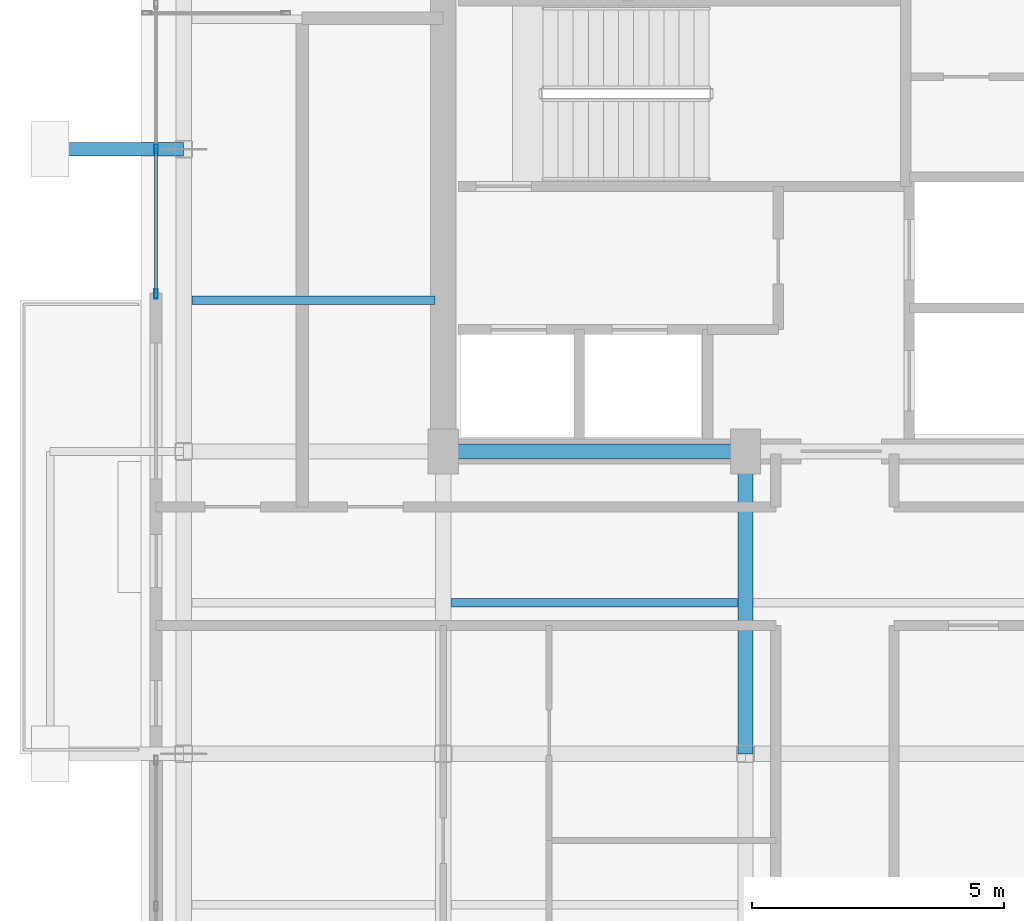
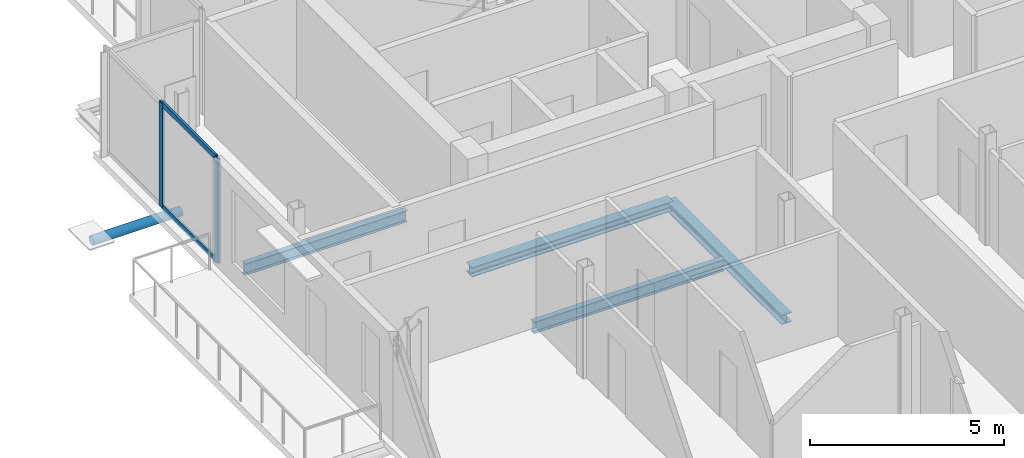
# One storey, part 7 of 19: 5 members, 4 beams, 1 element without a shape of its own.
"""IFC4 building model written with IfcOpenShell, lengths in metres."""

from ifc_helpers import new_model, si_unit, direction, frame, origin, origin_2d, place, context, subcontext, project, spatial, hollow_rectangle, hollow_circle, i_section, extrude, material, layer, layer_set, material_profile, profile_set, type_object, element, aggregate, save


model = new_model("IFC4")

# Units and contexts
model_context = context("Model", 3, precision=1e-05, world=origin(), true_north=direction((0.0, 1.0)))
body_context = subcontext(model_context, "Body", "Model", "MODEL_VIEW")
ifc_project = project(units=[si_unit("LENGTHUNIT", "METRE"), si_unit("AREAUNIT", "SQUARE_METRE"), si_unit("VOLUMEUNIT", "CUBIC_METRE"), si_unit("PLANEANGLEUNIT", "RADIAN"), si_unit("MASSUNIT", "GRAM", prefix="KILO"), si_unit("THERMODYNAMICTEMPERATUREUNIT", "KELVIN"), si_unit("POWERUNIT", "WATT")], contexts=[model_context])

# Site, building, storey
site_placement = place(None, origin())
site = spatial("IfcSite", under=ifc_project, at=site_placement, CompositionType="ELEMENT")
building_placement = place(site_placement, origin())
building = spatial("IfcBuilding", under=site, at=building_placement, Name="Svarakhadi Broadcast Tower", CompositionType="ELEMENT")
storey_placement = place(building_placement, frame((0.0, 0.0, 239.699951171875)))
storey = spatial("IfcBuildingStorey", under=building, at=storey_placement, Name="L59", CompositionType="ELEMENT", Elevation=239.699951171875)

# Beams
ifc_material_1 = material(Name="Steel S355J2 (IS 2062 E350C)", Category="steel")
ifc_material_profile_1 = material_profile(ifc_material_1, i_section(OverallWidth=0.169921875, OverallDepth=0.360107421875, WebThickness=0.008056640625, FlangeThickness=0.0126953125, FilletRadius=0.01806640625, at=origin_2d()), Name="NPB 360x170x57")
ifc_profile_set_1 = profile_set([ifc_material_profile_1], Name="Steel S355J2 (IS 2062 E350C)")
beam_type_1 = type_object("IfcBeamType", Name="Beam_NPB360", PredefinedType="BEAM", material=ifc_profile_set_1)
beam_1_placement = place(storey_placement, frame((1.010009765625, 21.0, -0.3798828125), z_axis=(1.0, 0.0, 0.0), x_axis=(0.0, 1.0, 0.0)))
element("IfcBeam", 1, at=beam_1_placement, inside=storey, type_object=beam_type_1, Name="L59 Secondary Composite Beam SB003", PredefinedType="BEAM", context=body_context, shape_type="SweptSolid", body=[
    extrude(i_section(OverallWidth=0.169921875, OverallDepth=0.360107421875, WebThickness=0.008056640625, FlangeThickness=0.0126953125, FilletRadius=0.01806640625, at=origin_2d()), origin(), (0.0, 0.0, 1.0), 4.830078125),
])
beam_2_placement = place(storey_placement, frame((6.159912109375, 15.0, -0.3798828125), z_axis=(1.0, 0.0, 0.0), x_axis=(0.0, 1.0, 0.0)))
element("IfcBeam", 2, at=beam_2_placement, inside=storey, type_object=beam_type_1, Name="L59 Secondary Composite Beam SB007", PredefinedType="BEAM", context=body_context, shape_type="SweptSolid", body=[
    extrude(i_section(OverallWidth=0.169921875, OverallDepth=0.360107421875, WebThickness=0.008056640625, FlangeThickness=0.0126953125, FilletRadius=0.01806640625, at=origin_2d()), origin(), (0.0, 0.0, 1.0), 5.68017578125),
])

# Curtain wall, members
ifc_material_2 = material(Name="Anodised Bronze Aluminium AA 6063-T6", Category="aluminium")
ifc_layer = layer(ifc_material_2, 0.179931640625)
ifc_layer_set = layer_set([ifc_layer], Name="Anodised Bronze Aluminium AA 6063-T6")
curtain_wall_type = type_object("IfcCurtainWallType", Name="CW_Sys_05", PredefinedType="NOTDEFINED", material=ifc_layer_set)
curtain_wall_placement = place(storey_placement, origin())
curtain_wall = element("IfcCurtainWall", 3, at=curtain_wall_placement, inside=storey, type_object=curtain_wall_type, Name="L59 West Curtain Wall 03", PredefinedType="NOTDEFINED")
ifc_material_profile_2 = material_profile(ifc_material_2, hollow_rectangle(XDim=0.070068359375, YDim=0.179931640625, WallThickness=0.005615234375, at=origin_2d()), Name="ALU MULLION 180x70x6")
ifc_profile_set_2 = profile_set([ifc_material_profile_2], Name="Anodised Bronze Aluminium AA 6063-T6")
member_type_1 = type_object("IfcMemberType", Name="CW_Sys_05_Mul", PredefinedType="MULLION", material=ifc_profile_set_2)
member_1_placement = place(storey_placement, frame((0.300048828125, 21.125, 0.0), z_axis=(0.0, 0.0, 1.0), x_axis=(-1.0, 0.0, 0.0)))
member_1 = element("IfcMember", 4, at=member_1_placement, type_object=member_type_1, Name="CW-05 mullion 1", PredefinedType="MULLION", context=body_context, shape_type="SweptSolid", body=[
    extrude(hollow_rectangle(XDim=0.070068359375, YDim=0.179931640625, WallThickness=0.005615234375, at=origin_2d()), origin(), (0.0, 0.0, 1.0), 3.300048828125),
])
member_2_placement = place(storey_placement, frame((0.300048828125, 24.0, 0.0), z_axis=(0.0, 0.0, 1.0), x_axis=(-1.0, 0.0, 0.0)))
member_2 = element("IfcMember", 5, at=member_2_placement, type_object=member_type_1, Name="CW-05 mullion 2", PredefinedType="MULLION", context=body_context, shape_type="SweptSolid", body=[
    extrude(hollow_rectangle(XDim=0.070068359375, YDim=0.179931640625, WallThickness=0.005615234375, at=origin_2d()), origin(), (0.0, 0.0, 1.0), 3.300048828125),
])
ifc_material_profile_3 = material_profile(ifc_material_2, hollow_rectangle(XDim=0.06494140625, YDim=0.1650390625, WallThickness=0.0048828125, at=origin_2d()), Name="ALU TRANSOM 165x65x5")
ifc_profile_set_3 = profile_set([ifc_material_profile_3], Name="Anodised Bronze Aluminium AA 6063-T6")
member_type_2 = type_object("IfcMemberType", Name="CW_Sys_05_Trn", PredefinedType="USERDEFINED", material=ifc_profile_set_3)
member_3_placement = place(storey_placement, frame((0.300048828125, 21.159912109375, 0.032470703125), z_axis=(0.0, 1.0, 0.0), x_axis=(-1.0, 0.0, 0.0)))
member_3 = element("IfcMember", 6, at=member_3_placement, type_object=member_type_2, Name="CW-05 transom 1.1", ObjectType="TRANSOM", PredefinedType="USERDEFINED", context=body_context, shape_type="SweptSolid", body=[
    extrude(hollow_rectangle(XDim=0.06494140625, YDim=0.1650390625, WallThickness=0.0048828125, at=origin_2d()), origin(), (0.0, 0.0, 1.0), 2.80517578125),
])
member_4_placement = place(storey_placement, frame((0.300048828125, 21.159912109375, 3.267578125), z_axis=(0.0, 1.0, 0.0), x_axis=(-1.0, 0.0, 0.0)))
member_4 = element("IfcMember", 7, at=member_4_placement, type_object=member_type_2, Name="CW-05 transom 1.2", ObjectType="TRANSOM", PredefinedType="USERDEFINED", context=body_context, shape_type="SweptSolid", body=[
    extrude(hollow_rectangle(XDim=0.06494140625, YDim=0.1650390625, WallThickness=0.0048828125, at=origin_2d()), origin(), (0.0, 0.0, 1.0), 2.80517578125),
])
aggregate(curtain_wall, [member_1, member_2, member_3, member_4])

# Member
ifc_material_3 = material(Name="Steel S460ML (IS 2062 E450BR)", Category="steel")
ifc_material_profile_4 = material_profile(ifc_material_3, hollow_circle(Radius=0.136474609375, WallThickness=0.012451171875, at=origin_2d()), Name="CHS 273x12.5")
ifc_profile_set_4 = profile_set([ifc_material_profile_4], Name="Steel S460ML (IS 2062 E450BR)")
member_type_3 = type_object("IfcMemberType", Name="Exo_Radial_Strut_Z3", PredefinedType="STRUT", material=ifc_profile_set_4)
member_5_placement = place(storey_placement, frame((-1.800048828125, 24.0, -0.33642578125), z_axis=(1.0, 0.0, 0.0), x_axis=(0.0, 1.0, 0.0)))
element("IfcMember", 8, at=member_5_placement, inside=storey, type_object=member_type_3, Name="L59 Exoskeleton Radial Tie Strut W04", PredefinedType="STRUT", context=body_context, shape_type="SweptSolid", body=[
    extrude(hollow_circle(Radius=0.136474609375, WallThickness=0.012451171875, at=origin_2d()), origin(), (0.0, 0.0, 1.0), 2.650146484375),
])

# Beams
ifc_material_profile_5 = material_profile(ifc_material_1, i_section(OverallWidth=0.300048828125, OverallDepth=0.300048828125, WebThickness=0.010986328125, FlangeThickness=0.01904296875, FilletRadius=0.027099609375, at=origin_2d()), Name="WPB 300x300x117")
ifc_profile_set_5 = profile_set([ifc_material_profile_5], Name="Steel S355J2 (IS 2062 E350C)")
beam_type_2 = type_object("IfcBeamType", Name="Girder_WPB300", PredefinedType="USERDEFINED", material=ifc_profile_set_5)
for number, where, z_axis, x_axis, name in (
    (9, (6.0, 18.0, -0.349853515625), (1.0, 0.0, 0.0), (0.0, 1.0, 0.0), "L59 Primary E-W Girder G019"),
    (10, (12.0, 12.0, -0.349853515625), (0.0, 1.0, 0.0), (-1.0, 0.0, 0.0), "L59 Primary N-S Girder G038"),
):
    element("IfcBeam", number, at=place(storey_placement, frame(where, z_axis=z_axis, x_axis=x_axis)), inside=storey, type_object=beam_type_2, Name=name, ObjectType="GIRDER", PredefinedType="USERDEFINED", context=body_context, shape_type="SweptSolid", body=[
        extrude(i_section(OverallWidth=0.300048828125, OverallDepth=0.300048828125, WebThickness=0.010986328125, FlangeThickness=0.01904296875, FilletRadius=0.027099609375, at=origin_2d()), origin(), (0.0, 0.0, 1.0), 6.0),
    ])

save(model, "model.ifc")
